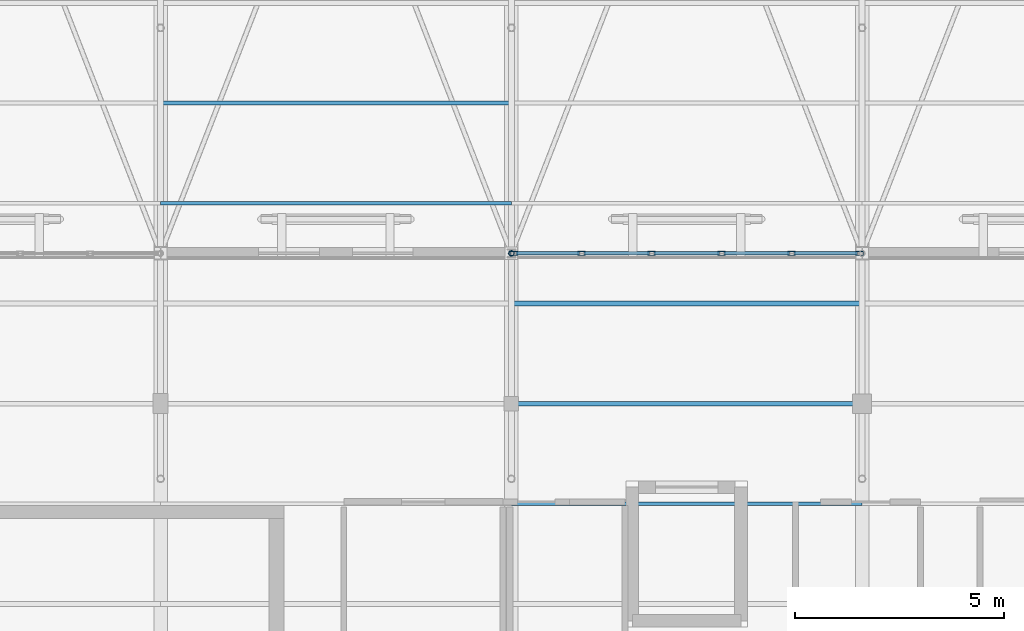
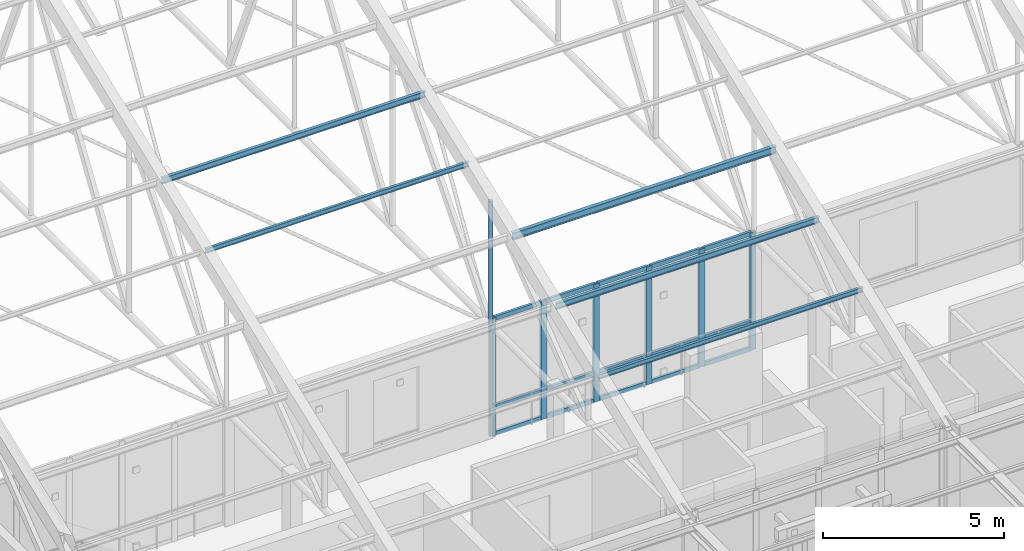
# One storey, part 84 of 217: 27 members, 1 element without a shape of its own.
"""IFC4 building model written with IfcOpenShell, lengths in metres."""

from ifc_helpers import new_model, si_unit, direction, frame, origin, origin_2d, place, context, subcontext, project, spatial, hollow_rectangle, hollow_circle, i_section, extrude, material, layer, layer_set, material_profile, profile_set, type_object, element, aggregate, save


model = new_model("IFC4")

# Units and contexts
model_context = context("Model", 3, precision=1e-05, world=origin(), true_north=direction((0.0, 1.0)))
body_context = subcontext(model_context, "Body", "Model", "MODEL_VIEW")
ifc_project = project(units=[si_unit("LENGTHUNIT", "METRE"), si_unit("AREAUNIT", "SQUARE_METRE"), si_unit("VOLUMEUNIT", "CUBIC_METRE"), si_unit("PLANEANGLEUNIT", "RADIAN"), si_unit("MASSUNIT", "GRAM", prefix="KILO")], contexts=[model_context])

# Site, building, storey
site_placement = place(None, origin())
site = spatial("IfcSite", under=ifc_project, at=site_placement, CompositionType="ELEMENT")
building_placement = place(site_placement, origin())
building = spatial("IfcBuilding", under=site, at=building_placement, Name="Mazaris Harbour Polytechnic", CompositionType="ELEMENT")
storey_placement = place(building_placement, frame((0.0, 0.0, 9.60009765625)))
storey = spatial("IfcBuildingStorey", under=building, at=storey_placement, Name="L02", CompositionType="ELEMENT", Elevation=9.60009765625)

# Curtain wall, members
ifc_material_1 = material(Name="Anodised Bronze Aluminium and Low-E Glass", Category="aluminium")
ifc_layer = layer(ifc_material_1, 0.14990234375, Name="Anodised Bronze Aluminium and Low-E Glass")
ifc_layer_set = layer_set([ifc_layer], Name="Anodised Bronze Aluminium and Low-E Glass")
curtain_wall_type = type_object("IfcCurtainWallType", Name="Workshop Clerestory Curtain Wall", PredefinedType="NOTDEFINED", material=ifc_layer_set)
curtain_wall_placement = place(storey_placement, origin())
curtain_wall = element("IfcCurtainWall", 1, at=curtain_wall_placement, inside=storey, type_object=curtain_wall_type, Name="V1 L02 Curtain Wall 30", PredefinedType="NOTDEFINED")
ifc_material_2 = material(Name="Anodised Bronze Steel S355", Category="steel")
ifc_material_profile_1 = material_profile(ifc_material_2, hollow_rectangle(XDim=0.10009765625, YDim=0.179931640625, WallThickness=0.008056640625, at=origin_2d()), Name="RHS 100x180x8.0")
ifc_profile_set_1 = profile_set([ifc_material_profile_1], Name="Anodised Bronze Steel S355")
member_type_1 = type_object("IfcMemberType", Name="Curtain Mullion RHS100x180", PredefinedType="MULLION", material=ifc_profile_set_1)
member_1_placement = place(storey_placement, frame((70.85791015625, 86.39990234375, 0.0), z_axis=(0.0, 0.0, 1.0), x_axis=(0.0, 1.0, 0.0)))
member_1 = element("IfcMember", 2, at=member_1_placement, type_object=member_type_1, Name="CW-04 mullion 1", PredefinedType="MULLION", context=body_context, shape_type="SweptSolid", body=[
    extrude(hollow_rectangle(XDim=0.10009765625, YDim=0.179931640625, WallThickness=0.008056640625, at=origin_2d()), origin(), (0.0, 0.0, 1.0), 3.9599609375),
])
member_2_placement = place(storey_placement, frame((72.48486328125, 86.39990234375, 0.0), z_axis=(0.0, 0.0, 1.0), x_axis=(0.0, 1.0, 0.0)))
member_2 = element("IfcMember", 3, at=member_2_placement, type_object=member_type_1, Name="CW-04 mullion 2", PredefinedType="MULLION", context=body_context, shape_type="SweptSolid", body=[
    extrude(hollow_rectangle(XDim=0.10009765625, YDim=0.179931640625, WallThickness=0.008056640625, at=origin_2d()), origin(), (0.0, 0.0, 1.0), 3.9599609375),
])
member_3_placement = place(storey_placement, frame((74.16162109375, 86.39990234375, 0.0), z_axis=(0.0, 0.0, 1.0), x_axis=(0.0, 1.0, 0.0)))
member_3 = element("IfcMember", 4, at=member_3_placement, type_object=member_type_1, Name="CW-04 mullion 3", PredefinedType="MULLION", context=body_context, shape_type="SweptSolid", body=[
    extrude(hollow_rectangle(XDim=0.10009765625, YDim=0.179931640625, WallThickness=0.008056640625, at=origin_2d()), origin(), (0.0, 0.0, 1.0), 3.9599609375),
])
member_4_placement = place(storey_placement, frame((75.83837890625, 86.39990234375, 0.0), z_axis=(0.0, 0.0, 1.0), x_axis=(0.0, 1.0, 0.0)))
member_4 = element("IfcMember", 5, at=member_4_placement, type_object=member_type_1, Name="CW-04 mullion 4", PredefinedType="MULLION", context=body_context, shape_type="SweptSolid", body=[
    extrude(hollow_rectangle(XDim=0.10009765625, YDim=0.179931640625, WallThickness=0.008056640625, at=origin_2d()), origin(), (0.0, 0.0, 1.0), 3.9599609375),
])
member_5_placement = place(storey_placement, frame((77.51513671875, 86.39990234375, 0.0), z_axis=(0.0, 0.0, 1.0), x_axis=(0.0, 1.0, 0.0)))
member_5 = element("IfcMember", 6, at=member_5_placement, type_object=member_type_1, Name="CW-04 mullion 5", PredefinedType="MULLION", context=body_context, shape_type="SweptSolid", body=[
    extrude(hollow_rectangle(XDim=0.10009765625, YDim=0.179931640625, WallThickness=0.008056640625, at=origin_2d()), origin(), (0.0, 0.0, 1.0), 3.9599609375),
])
member_6_placement = place(storey_placement, frame((79.14208984375, 86.39990234375, 0.0), z_axis=(0.0, 0.0, 1.0), x_axis=(0.0, 1.0, 0.0)))
member_6 = element("IfcMember", 7, at=member_6_placement, type_object=member_type_1, Name="CW-04 mullion 6", PredefinedType="MULLION", context=body_context, shape_type="SweptSolid", body=[
    extrude(hollow_rectangle(XDim=0.10009765625, YDim=0.179931640625, WallThickness=0.008056640625, at=origin_2d()), origin(), (0.0, 0.0, 1.0), 3.9599609375),
])
ifc_material_3 = material(Name="Anodised Bronze Steel S355", Category="steel")
ifc_material_profile_2 = material_profile(ifc_material_3, hollow_rectangle(XDim=0.080078125, YDim=0.139892578125, WallThickness=0.00634765625, at=origin_2d()), Name="RHS 80x140x6.3")
ifc_profile_set_2 = profile_set([ifc_material_profile_2], Name="Anodised Bronze Steel S355")
member_type_2 = type_object("IfcMemberType", Name="Curtain Transom RHS80x140", PredefinedType="USERDEFINED", material=ifc_profile_set_2)
member_7_placement = place(storey_placement, frame((70.907958984375, 86.39990234375, 0.039794921875), z_axis=(1.0, 0.0, 0.0), x_axis=(0.0, 1.0, 0.0)))
member_7 = element("IfcMember", 8, at=member_7_placement, type_object=member_type_2, Name="CW-04 transom 1.1", ObjectType="TRANSOM", PredefinedType="USERDEFINED", context=body_context, shape_type="SweptSolid", body=[
    extrude(hollow_rectangle(XDim=0.080078125, YDim=0.139892578125, WallThickness=0.00634765625, at=origin_2d()), origin(), (0.0, 0.0, 1.0), 1.52685546875),
])
member_8_placement = place(storey_placement, frame((70.907958984375, 86.39990234375, 0.949951171875), z_axis=(1.0, 0.0, 0.0), x_axis=(0.0, 1.0, 0.0)))
member_8 = element("IfcMember", 9, at=member_8_placement, type_object=member_type_2, Name="CW-04 transom 1.2", ObjectType="TRANSOM", PredefinedType="USERDEFINED", context=body_context, shape_type="SweptSolid", body=[
    extrude(hollow_rectangle(XDim=0.080078125, YDim=0.139892578125, WallThickness=0.00634765625, at=origin_2d()), origin(), (0.0, 0.0, 1.0), 1.52685546875),
])
member_9_placement = place(storey_placement, frame((70.907958984375, 86.39990234375, 3.919921875), z_axis=(1.0, 0.0, 0.0), x_axis=(0.0, 1.0, 0.0)))
member_9 = element("IfcMember", 10, at=member_9_placement, type_object=member_type_2, Name="CW-04 transom 1.3", ObjectType="TRANSOM", PredefinedType="USERDEFINED", context=body_context, shape_type="SweptSolid", body=[
    extrude(hollow_rectangle(XDim=0.080078125, YDim=0.139892578125, WallThickness=0.00634765625, at=origin_2d()), origin(), (0.0, 0.0, 1.0), 1.52685546875),
])
member_10_placement = place(storey_placement, frame((72.534912109375, 86.39990234375, 0.039794921875), z_axis=(1.0, 0.0, 0.0), x_axis=(0.0, 1.0, 0.0)))
member_10 = element("IfcMember", 11, at=member_10_placement, type_object=member_type_2, Name="CW-04 transom 2.1", ObjectType="TRANSOM", PredefinedType="USERDEFINED", context=body_context, shape_type="SweptSolid", body=[
    extrude(hollow_rectangle(XDim=0.080078125, YDim=0.139892578125, WallThickness=0.00634765625, at=origin_2d()), origin(), (0.0, 0.0, 1.0), 1.57666015625),
])
member_11_placement = place(storey_placement, frame((72.534912109375, 86.39990234375, 0.949951171875), z_axis=(1.0, 0.0, 0.0), x_axis=(0.0, 1.0, 0.0)))
member_11 = element("IfcMember", 12, at=member_11_placement, type_object=member_type_2, Name="CW-04 transom 2.2", ObjectType="TRANSOM", PredefinedType="USERDEFINED", context=body_context, shape_type="SweptSolid", body=[
    extrude(hollow_rectangle(XDim=0.080078125, YDim=0.139892578125, WallThickness=0.00634765625, at=origin_2d()), origin(), (0.0, 0.0, 1.0), 1.57666015625),
])
member_12_placement = place(storey_placement, frame((72.534912109375, 86.39990234375, 3.919921875), z_axis=(1.0, 0.0, 0.0), x_axis=(0.0, 1.0, 0.0)))
member_12 = element("IfcMember", 13, at=member_12_placement, type_object=member_type_2, Name="CW-04 transom 2.3", ObjectType="TRANSOM", PredefinedType="USERDEFINED", context=body_context, shape_type="SweptSolid", body=[
    extrude(hollow_rectangle(XDim=0.080078125, YDim=0.139892578125, WallThickness=0.00634765625, at=origin_2d()), origin(), (0.0, 0.0, 1.0), 1.57666015625),
])
member_13_placement = place(storey_placement, frame((74.211669921875, 86.39990234375, 0.039794921875), z_axis=(1.0, 0.0, 0.0), x_axis=(0.0, 1.0, 0.0)))
member_13 = element("IfcMember", 14, at=member_13_placement, type_object=member_type_2, Name="CW-04 transom 3.1", ObjectType="TRANSOM", PredefinedType="USERDEFINED", context=body_context, shape_type="SweptSolid", body=[
    extrude(hollow_rectangle(XDim=0.080078125, YDim=0.139892578125, WallThickness=0.00634765625, at=origin_2d()), origin(), (0.0, 0.0, 1.0), 1.57666015625),
])
member_14_placement = place(storey_placement, frame((74.211669921875, 86.39990234375, 0.949951171875), z_axis=(1.0, 0.0, 0.0), x_axis=(0.0, 1.0, 0.0)))
member_14 = element("IfcMember", 15, at=member_14_placement, type_object=member_type_2, Name="CW-04 transom 3.2", ObjectType="TRANSOM", PredefinedType="USERDEFINED", context=body_context, shape_type="SweptSolid", body=[
    extrude(hollow_rectangle(XDim=0.080078125, YDim=0.139892578125, WallThickness=0.00634765625, at=origin_2d()), origin(), (0.0, 0.0, 1.0), 1.57666015625),
])
member_15_placement = place(storey_placement, frame((74.211669921875, 86.39990234375, 3.919921875), z_axis=(1.0, 0.0, 0.0), x_axis=(0.0, 1.0, 0.0)))
member_15 = element("IfcMember", 16, at=member_15_placement, type_object=member_type_2, Name="CW-04 transom 3.3", ObjectType="TRANSOM", PredefinedType="USERDEFINED", context=body_context, shape_type="SweptSolid", body=[
    extrude(hollow_rectangle(XDim=0.080078125, YDim=0.139892578125, WallThickness=0.00634765625, at=origin_2d()), origin(), (0.0, 0.0, 1.0), 1.57666015625),
])
member_16_placement = place(storey_placement, frame((75.888427734375, 86.39990234375, 0.039794921875), z_axis=(1.0, 0.0, 0.0), x_axis=(0.0, 1.0, 0.0)))
member_16 = element("IfcMember", 17, at=member_16_placement, type_object=member_type_2, Name="CW-04 transom 4.1", ObjectType="TRANSOM", PredefinedType="USERDEFINED", context=body_context, shape_type="SweptSolid", body=[
    extrude(hollow_rectangle(XDim=0.080078125, YDim=0.139892578125, WallThickness=0.00634765625, at=origin_2d()), origin(), (0.0, 0.0, 1.0), 1.57666015625),
])
member_17_placement = place(storey_placement, frame((75.888427734375, 86.39990234375, 0.949951171875), z_axis=(1.0, 0.0, 0.0), x_axis=(0.0, 1.0, 0.0)))
member_17 = element("IfcMember", 18, at=member_17_placement, type_object=member_type_2, Name="CW-04 transom 4.2", ObjectType="TRANSOM", PredefinedType="USERDEFINED", context=body_context, shape_type="SweptSolid", body=[
    extrude(hollow_rectangle(XDim=0.080078125, YDim=0.139892578125, WallThickness=0.00634765625, at=origin_2d()), origin(), (0.0, 0.0, 1.0), 1.57666015625),
])
member_18_placement = place(storey_placement, frame((75.888427734375, 86.39990234375, 3.919921875), z_axis=(1.0, 0.0, 0.0), x_axis=(0.0, 1.0, 0.0)))
member_18 = element("IfcMember", 19, at=member_18_placement, type_object=member_type_2, Name="CW-04 transom 4.3", ObjectType="TRANSOM", PredefinedType="USERDEFINED", context=body_context, shape_type="SweptSolid", body=[
    extrude(hollow_rectangle(XDim=0.080078125, YDim=0.139892578125, WallThickness=0.00634765625, at=origin_2d()), origin(), (0.0, 0.0, 1.0), 1.57666015625),
])
member_19_placement = place(storey_placement, frame((77.565185546875, 86.39990234375, 0.039794921875), z_axis=(1.0, 0.0, 0.0), x_axis=(0.0, 1.0, 0.0)))
member_19 = element("IfcMember", 20, at=member_19_placement, type_object=member_type_2, Name="CW-04 transom 5.1", ObjectType="TRANSOM", PredefinedType="USERDEFINED", context=body_context, shape_type="SweptSolid", body=[
    extrude(hollow_rectangle(XDim=0.080078125, YDim=0.139892578125, WallThickness=0.00634765625, at=origin_2d()), origin(), (0.0, 0.0, 1.0), 1.52685546875),
])
member_20_placement = place(storey_placement, frame((77.565185546875, 86.39990234375, 0.949951171875), z_axis=(1.0, 0.0, 0.0), x_axis=(0.0, 1.0, 0.0)))
member_20 = element("IfcMember", 21, at=member_20_placement, type_object=member_type_2, Name="CW-04 transom 5.2", ObjectType="TRANSOM", PredefinedType="USERDEFINED", context=body_context, shape_type="SweptSolid", body=[
    extrude(hollow_rectangle(XDim=0.080078125, YDim=0.139892578125, WallThickness=0.00634765625, at=origin_2d()), origin(), (0.0, 0.0, 1.0), 1.52685546875),
])
member_21_placement = place(storey_placement, frame((77.565185546875, 86.39990234375, 3.919921875), z_axis=(1.0, 0.0, 0.0), x_axis=(0.0, 1.0, 0.0)))
member_21 = element("IfcMember", 22, at=member_21_placement, type_object=member_type_2, Name="CW-04 transom 5.3", ObjectType="TRANSOM", PredefinedType="USERDEFINED", context=body_context, shape_type="SweptSolid", body=[
    extrude(hollow_rectangle(XDim=0.080078125, YDim=0.139892578125, WallThickness=0.00634765625, at=origin_2d()), origin(), (0.0, 0.0, 1.0), 1.52685546875),
])
aggregate(curtain_wall, [member_1, member_2, member_3, member_4, member_5, member_6, member_7, member_8, member_9, member_10, member_11, member_12, member_13, member_14, member_15, member_16, member_17, member_18, member_19, member_20, member_21])

# Members
ifc_material_4 = material(Name="Steel S355", Category="steel")
ifc_material_profile_3 = material_profile(ifc_material_4, i_section(OverallWidth=0.08203125, OverallDepth=0.159912109375, WebThickness=0.0048828125, FlangeThickness=0.00732421875, FilletRadius=0.009033203125, at=origin_2d()), Name="IPE 160")
ifc_profile_set_3 = profile_set([ifc_material_profile_3], Name="Steel S355")
member_type_3 = type_object("IfcMemberType", Name="Steel Purlin IPE160", PredefinedType="PURLIN", material=ifc_profile_set_3)
member_22_placement = place(storey_placement, frame((62.39990234375, 87.60009765625, 8.43798828125), z_axis=(1.0, 0.0, 0.0), x_axis=(0.0, 1.0, 0.0)))
element("IfcMember", 23, at=member_22_placement, inside=storey, type_object=member_type_3, Name="V1 Roof Purlin S-30", PredefinedType="PURLIN", context=body_context, shape_type="SweptSolid", body=[
    extrude(i_section(OverallWidth=0.08203125, OverallDepth=0.159912109375, WebThickness=0.0048828125, FlangeThickness=0.00732421875, FilletRadius=0.009033203125, at=origin_2d()), origin(), (0.0, 0.0, 1.0), 8.400146484375),
])
member_23_placement = place(storey_placement, frame((70.800048828125, 80.39990234375, 5.637939453125), z_axis=(1.0, 0.0, 0.0), x_axis=(0.0, 1.0, 0.0)))
element("IfcMember", 24, at=member_23_placement, inside=storey, type_object=member_type_3, Name="V1 Roof Purlin S-48", PredefinedType="PURLIN", context=body_context, shape_type="SweptSolid", body=[
    extrude(i_section(OverallWidth=0.08203125, OverallDepth=0.159912109375, WebThickness=0.0048828125, FlangeThickness=0.00732421875, FilletRadius=0.009033203125, at=origin_2d()), origin(), (0.0, 0.0, 1.0), 8.39990234375),
])
ifc_material_5 = material(Name="Steel S355", Category="steel")
ifc_material_profile_4 = material_profile(ifc_material_5, i_section(OverallWidth=0.10009765625, OverallDepth=0.199951171875, WebThickness=0.005615234375, FlangeThickness=0.008544921875, FilletRadius=0.011962890625, at=origin_2d()), Name="IPE 200")
ifc_profile_set_4 = profile_set([ifc_material_profile_4], Name="Steel S355")
member_type_4 = type_object("IfcMemberType", Name="Steel Purlin IPE200", PredefinedType="PURLIN", material=ifc_profile_set_4)
member_24_placement = place(storey_placement, frame((62.39990234375, 90.0, 9.344970703125), z_axis=(1.0, 0.0, 0.0), x_axis=(0.0, 1.0, 0.0)))
element("IfcMember", 25, at=member_24_placement, inside=storey, type_object=member_type_4, Name="V1 Roof Purlin S-31", PredefinedType="PURLIN", context=body_context, shape_type="SweptSolid", body=[
    extrude(i_section(OverallWidth=0.10009765625, OverallDepth=0.199951171875, WebThickness=0.005615234375, FlangeThickness=0.008544921875, FilletRadius=0.011962890625, at=origin_2d()), origin(), (0.0, 0.0, 1.0), 8.400146484375),
])
member_25_placement = place(storey_placement, frame((70.800048828125, 82.800048828125, 6.544921875), z_axis=(1.0, 0.0, 0.0), x_axis=(0.0, 1.0, 0.0)))
element("IfcMember", 26, at=member_25_placement, inside=storey, type_object=member_type_4, Name="V1 Roof Purlin S-49", PredefinedType="PURLIN", context=body_context, shape_type="SweptSolid", body=[
    extrude(i_section(OverallWidth=0.10009765625, OverallDepth=0.199951171875, WebThickness=0.005615234375, FlangeThickness=0.008544921875, FilletRadius=0.011962890625, at=origin_2d()), origin(), (0.0, 0.0, 1.0), 8.39990234375),
])
ifc_material_6 = material(Name="Steel S355", Category="steel")
ifc_material_profile_5 = material_profile(ifc_material_6, i_section(OverallWidth=0.1201171875, OverallDepth=0.239990234375, WebThickness=0.006103515625, FlangeThickness=0.009765625, FilletRadius=0.014892578125, at=origin_2d()), Name="IPE 240")
ifc_profile_set_5 = profile_set([ifc_material_profile_5], Name="Steel S355")
member_type_5 = type_object("IfcMemberType", Name="Steel Purlin IPE240", PredefinedType="PURLIN", material=ifc_profile_set_5)
member_26_placement = place(storey_placement, frame((70.800048828125, 85.199951171875, 7.451171875), z_axis=(1.0, 0.0, 0.0), x_axis=(0.0, 1.0, 0.0)))
element("IfcMember", 27, at=member_26_placement, inside=storey, type_object=member_type_5, Name="V1 Roof Purlin S-50", PredefinedType="PURLIN", context=body_context, shape_type="SweptSolid", body=[
    extrude(i_section(OverallWidth=0.1201171875, OverallDepth=0.239990234375, WebThickness=0.006103515625, FlangeThickness=0.009765625, FilletRadius=0.014892578125, at=origin_2d()), origin(), (0.0, 0.0, 1.0), 8.39990234375),
])
ifc_material_7 = material(Name="Steel S355", Category="steel")
ifc_material_profile_6 = material_profile(ifc_material_7, hollow_circle(Radius=0.06982421875, WallThickness=0.008056640625, at=origin_2d()), Name="CHS 139.7x8.0")
ifc_profile_set_6 = profile_set([ifc_material_profile_6], Name="Steel S355")
member_type_6 = type_object("IfcMemberType", Name="Steel Truss Strut CHS139", PredefinedType="STRUT", material=ifc_profile_set_6)
member_27_placement = place(storey_placement, frame((70.800048828125, 86.39990234375, 3.75), z_axis=(0.0, 0.0, 1.0), x_axis=(1.0, 0.0, 0.0)))
element("IfcMember", 28, at=member_27_placement, inside=storey, type_object=member_type_6, Name="Truss 3 Web Post S2", PredefinedType="STRUT", context=body_context, shape_type="SweptSolid", body=[
    extrude(hollow_circle(Radius=0.06982421875, WallThickness=0.008056640625, at=origin_2d()), origin(), (0.0, 0.0, 1.0), 4.1748046875),
])

save(model, "model.ifc")
